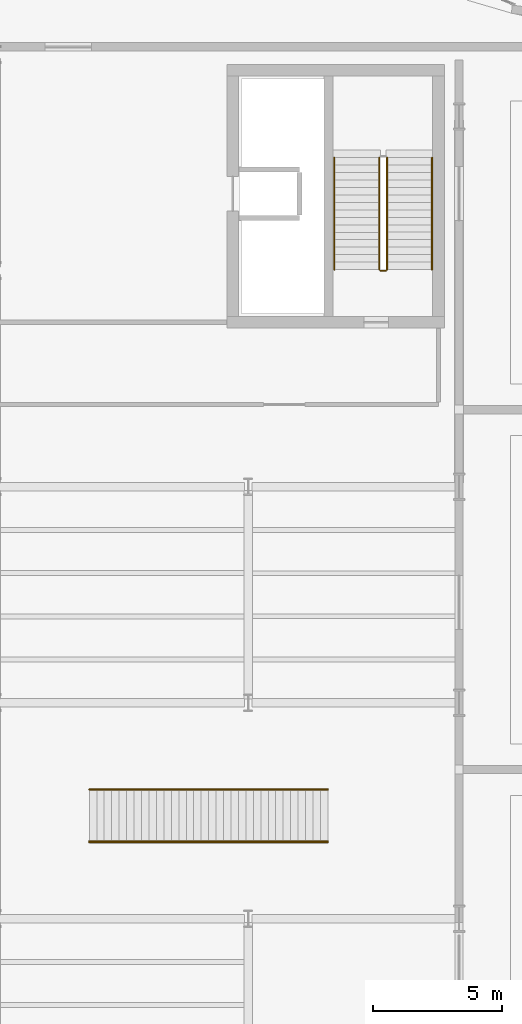
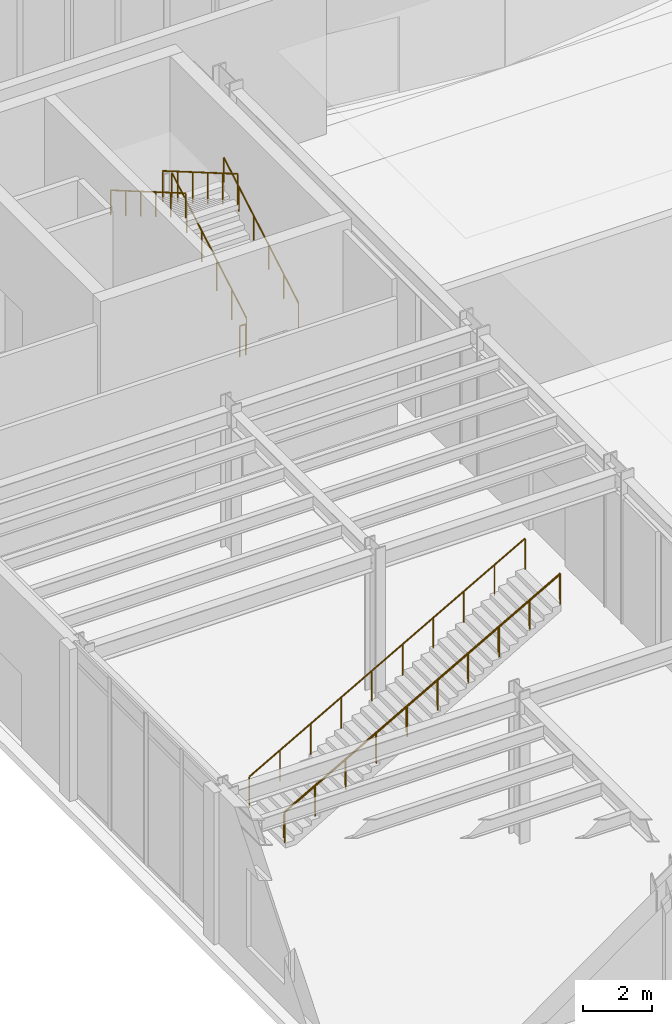
# One storey, part 85 of 94: 8 railings.
"""IFC4 building model written with IfcOpenShell, lengths in metres."""

from ifc_helpers import new_model, si_unit, direction, frame, origin, origin_2d, place, context, subcontext, project, spatial, circle, extrude, material, type_object, element, save


model = new_model("IFC4")

# Units and contexts
model_context = context("Model", 3, precision=1e-05, world=origin(), true_north=direction((0.0, 1.0)))
body_context = subcontext(model_context, "Body", "Model", "MODEL_VIEW")
ifc_project = project(units=[si_unit("LENGTHUNIT", "METRE"), si_unit("AREAUNIT", "SQUARE_METRE"), si_unit("VOLUMEUNIT", "CUBIC_METRE"), si_unit("PLANEANGLEUNIT", "RADIAN"), si_unit("MASSUNIT", "GRAM", prefix="KILO")], contexts=[model_context])

# Site, building, storey
site_placement = place(None, origin())
site = spatial("IfcSite", under=ifc_project, at=site_placement, CompositionType="ELEMENT")
building_placement = place(site_placement, origin())
building = spatial("IfcBuilding", under=site, at=building_placement, Name="Sollismere Congress Hotel", CompositionType="ELEMENT")
storey_placement = place(building_placement, origin())
storey = spatial("IfcBuildingStorey", under=building, at=storey_placement, Name="L00", CompositionType="ELEMENT", Elevation=0.0)

# Railings
ifc_material_1 = material(Name="Steel ASTM A500 Grade C", Category="steel")
railing_type_1 = type_object("IfcRailingType", Name="RL-GRD112", PredefinedType="GUARDRAIL", material=ifc_material_1)
railing_1_placement = place(storey_placement, frame((15.199951171875, 58.449951171875, 0.168701171875)))
element("IfcRailing", 1, at=railing_1_placement, inside=storey, type_object=railing_type_1, Name="RLG-RG-ST-05-L00-1", PredefinedType="GUARDRAIL", context=body_context, shape_type="SweptSolid", body=[
    extrude(circle(Radius=0.02392578125, at=origin_2d()), frame((0.0, 0.0, 1.09619140625), z_axis=(0.0, 0.864323800911, 0.50293574856), x_axis=(-1.0, 0.0, 0.0)), (0.0, 0.0, 1.0), 5.032958984375),
    extrude(circle(Radius=0.02099609375, at=origin_2d()), origin(), (0.0, 0.0, 1.0), 1.072021484375),
    extrude(circle(Radius=0.02099609375, at=origin_2d()), frame((0.0, 0.8701171875, 0.50634765625)), (0.0, 0.0, 1.0), 1.072021484375),
    extrude(circle(Radius=0.02099609375, at=origin_2d()), frame((0.0, 1.739990234375, 1.012451171875)), (0.0, 0.0, 1.0), 1.072021484375),
    extrude(circle(Radius=0.02099609375, at=origin_2d()), frame((0.0, 2.610107421875, 1.518798828125)), (0.0, 0.0, 1.0), 1.072021484375),
    extrude(circle(Radius=0.02099609375, at=origin_2d()), frame((0.0, 3.47998046875, 2.02490234375)), (0.0, 0.0, 1.0), 1.072021484375),
    extrude(circle(Radius=0.02099609375, at=origin_2d()), frame((0.0, 4.35009765625, 2.53125)), (0.0, 0.0, 1.0), 1.072021484375),
])
railing_2_placement = place(storey_placement, frame((14.89990234375, 62.800048828125, 2.86865234375)))
element("IfcRailing", 2, at=railing_2_placement, inside=storey, type_object=railing_type_1, Name="RLG-RG-ST-05-L00-3", PredefinedType="GUARDRAIL", context=body_context, shape_type="SweptSolid", body=[
    extrude(circle(Radius=0.02392578125, at=origin_2d()), frame((0.0, 0.0, 1.09619140625), z_axis=(0.0, -0.864323800911, 0.50293574856), x_axis=(1.0, 0.0, 0.0)), (0.0, 0.0, 1.0), 5.032958984375),
    extrude(circle(Radius=0.02099609375, at=origin_2d()), origin(), (0.0, 0.0, 1.0), 1.072021484375),
    extrude(circle(Radius=0.02099609375, at=origin_2d()), frame((0.0, -0.8701171875, 0.50634765625)), (0.0, 0.0, 1.0), 1.072021484375),
    extrude(circle(Radius=0.02099609375, at=origin_2d()), frame((0.0, -1.739990234375, 1.012451171875)), (0.0, 0.0, 1.0), 1.072021484375),
    extrude(circle(Radius=0.02099609375, at=origin_2d()), frame((0.0, -2.610107421875, 1.518798828125)), (0.0, 0.0, 1.0), 1.072021484375),
    extrude(circle(Radius=0.02099609375, at=origin_2d()), frame((0.0, -3.47998046875, 2.02490234375)), (0.0, 0.0, 1.0), 1.072021484375),
    extrude(circle(Radius=0.02099609375, at=origin_2d()), frame((0.0, -4.35009765625, 2.53125)), (0.0, 0.0, 1.0), 1.072021484375),
])
railing_3_placement = place(storey_placement, frame((15.14990234375, 58.39990234375, 0.0)))
element("IfcRailing", 3, at=railing_3_placement, inside=storey, type_object=railing_type_1, Name="RLG-RG-ST-05-L00-4", PredefinedType="GUARDRAIL", context=body_context, shape_type="SweptSolid", body=[
    extrude(circle(Radius=0.02392578125, at=origin_2d()), frame((0.0, 0.0, 1.09619140625), z_axis=(-1.0, 0.0, 0.0), x_axis=(0.0, -1.0, 0.0)), (0.0, 0.0, 1.0), 0.199951171875),
    extrude(circle(Radius=0.02099609375, at=origin_2d()), origin(), (0.0, 0.0, 1.0), 1.072021484375),
    extrude(circle(Radius=0.02099609375, at=origin_2d()), frame((-0.199951171875, 0.0, 0.0)), (0.0, 0.0, 1.0), 1.072021484375),
])
for number, where, name in (
    (4, (3.6201171875, 36.175048828125, 0.169921875), "RLG-RG-ST-09-A"),
    (5, (3.6201171875, 38.22509765625, 0.169921875), "RLG-RG-ST-09-B"),
):
    element("IfcRailing", number, at=place(storey_placement, frame(where)), inside=storey, type_object=railing_type_1, Name=name, PredefinedType="GUARDRAIL", context=body_context, shape_type="SweptSolid", body=[
        extrude(circle(Radius=0.02392578125, at=origin_2d()), frame((0.0, 0.0, 1.09619140625), z_axis=(0.871170033626, 0.0, 0.490981438052), x_axis=(0.0, 1.0, 0.0)), (0.0, 0.0, 1.0), 10.652099609375),
        extrude(circle(Radius=0.02099609375, at=origin_2d()), origin(), (0.0, 0.0, 1.0), 1.072021484375),
        extrude(circle(Radius=0.02099609375, at=origin_2d()), frame((1.031005859375, 0.0, 0.5810546875)), (0.0, 0.0, 1.0), 1.072021484375),
        extrude(circle(Radius=0.02099609375, at=origin_2d()), frame((2.062255859375, 0.0, 1.162109375)), (0.0, 0.0, 1.0), 1.072021484375),
        extrude(circle(Radius=0.02099609375, at=origin_2d()), frame((3.09326171875, 0.0, 1.743408203125)), (0.0, 0.0, 1.0), 1.072021484375),
        extrude(circle(Radius=0.02099609375, at=origin_2d()), frame((4.124267578125, 0.0, 2.324462890625)), (0.0, 0.0, 1.0), 1.072021484375),
        extrude(circle(Radius=0.02099609375, at=origin_2d()), frame((5.155517578125, 0.0, 2.905517578125)), (0.0, 0.0, 1.0), 1.072021484375),
        extrude(circle(Radius=0.02099609375, at=origin_2d()), frame((6.1865234375, 0.0, 3.486572265625)), (0.0, 0.0, 1.0), 1.072021484375),
        extrude(circle(Radius=0.02099609375, at=origin_2d()), frame((7.217529296875, 0.0, 4.06787109375)), (0.0, 0.0, 1.0), 1.072021484375),
        extrude(circle(Radius=0.02099609375, at=origin_2d()), frame((8.248779296875, 0.0, 4.64892578125)), (0.0, 0.0, 1.0), 1.072021484375),
        extrude(circle(Radius=0.02099609375, at=origin_2d()), frame((9.27978515625, 0.0, 5.22998046875)), (0.0, 0.0, 1.0), 1.072021484375),
    ])
ifc_material_2 = material(Name="Brushed Architectural Bronze")
railing_type_2 = type_object("IfcRailingType", Name="RL-HND90", PredefinedType="HANDRAIL", material=ifc_material_2)
railing_4_placement = place(storey_placement, frame((16.949951171875, 58.449951171875, 0.3134765625)))
element("IfcRailing", 6, at=railing_4_placement, inside=storey, type_object=railing_type_2, Name="RLG-RH-ST-05-L00-1", PredefinedType="HANDRAIL", context=body_context, shape_type="SweptSolid", body=[
    extrude(circle(Radius=0.02392578125, at=origin_2d()), frame((0.0, 0.0, 0.8759765625), z_axis=(0.0, 0.864323800911, 0.50293574856), x_axis=(-1.0, 0.0, 0.0)), (0.0, 0.0, 1.0), 5.032958984375),
    extrude(circle(Radius=0.02099609375, at=origin_2d()), origin(), (0.0, 0.0, 1.0), 0.851806640625),
    extrude(circle(Radius=0.02099609375, at=origin_2d()), frame((0.0, 0.8701171875, 0.50634765625)), (0.0, 0.0, 1.0), 0.851806640625),
    extrude(circle(Radius=0.02099609375, at=origin_2d()), frame((0.0, 1.739990234375, 1.012451171875)), (0.0, 0.0, 1.0), 0.851806640625),
    extrude(circle(Radius=0.02099609375, at=origin_2d()), frame((0.0, 2.610107421875, 1.518798828125)), (0.0, 0.0, 1.0), 0.851806640625),
    extrude(circle(Radius=0.02099609375, at=origin_2d()), frame((0.0, 3.47998046875, 2.02490234375)), (0.0, 0.0, 1.0), 0.851806640625),
    extrude(circle(Radius=0.02099609375, at=origin_2d()), frame((0.0, 4.35009765625, 2.53125)), (0.0, 0.0, 1.0), 0.851806640625),
])
railing_5_placement = place(storey_placement, frame((13.14990234375, 62.800048828125, 3.013427734375)))
element("IfcRailing", 7, at=railing_5_placement, inside=storey, type_object=railing_type_2, Name="RLG-RH-ST-05-L00-2", PredefinedType="HANDRAIL", context=body_context, shape_type="SweptSolid", body=[
    extrude(circle(Radius=0.02392578125, at=origin_2d()), frame((0.0, 0.0, 0.8759765625), z_axis=(0.0, -0.864323800911, 0.50293574856), x_axis=(1.0, 0.0, 0.0)), (0.0, 0.0, 1.0), 5.032958984375),
    extrude(circle(Radius=0.02099609375, at=origin_2d()), origin(), (0.0, 0.0, 1.0), 0.851806640625),
    extrude(circle(Radius=0.02099609375, at=origin_2d()), frame((0.0, -0.8701171875, 0.50634765625)), (0.0, 0.0, 1.0), 0.851806640625),
    extrude(circle(Radius=0.02099609375, at=origin_2d()), frame((0.0, -1.739990234375, 1.012451171875)), (0.0, 0.0, 1.0), 0.851806640625),
    extrude(circle(Radius=0.02099609375, at=origin_2d()), frame((0.0, -2.610107421875, 1.518798828125)), (0.0, 0.0, 1.0), 0.851806640625),
    extrude(circle(Radius=0.02099609375, at=origin_2d()), frame((0.0, -3.47998046875, 2.02490234375)), (0.0, 0.0, 1.0), 0.851806640625),
    extrude(circle(Radius=0.02099609375, at=origin_2d()), frame((0.0, -4.35009765625, 2.53125)), (0.0, 0.0, 1.0), 0.851806640625),
])
railing_6_placement = place(storey_placement, frame((3.6201171875, 36.215087890625, 0.3134765625)))
element("IfcRailing", 8, at=railing_6_placement, inside=storey, type_object=railing_type_2, Name="RLG-RH-ST-09", PredefinedType="HANDRAIL", context=body_context, shape_type="SweptSolid", body=[
    extrude(circle(Radius=0.02392578125, at=origin_2d()), frame((0.0, 0.0, 0.8759765625), z_axis=(0.871111211443, 0.0, 0.491085794233), x_axis=(0.0, 1.0, 0.0)), (0.0, 0.0, 1.0), 10.65283203125),
    extrude(circle(Radius=0.02099609375, at=origin_2d()), origin(), (0.0, 0.0, 1.0), 0.851806640625),
    extrude(circle(Radius=0.02099609375, at=origin_2d()), frame((1.031005859375, 0.0, 0.581298828125)), (0.0, 0.0, 1.0), 0.851806640625),
    extrude(circle(Radius=0.02099609375, at=origin_2d()), frame((2.062255859375, 0.0, 1.16259765625)), (0.0, 0.0, 1.0), 0.851806640625),
    extrude(circle(Radius=0.02099609375, at=origin_2d()), frame((3.09326171875, 0.0, 1.743896484375)), (0.0, 0.0, 1.0), 0.851806640625),
    extrude(circle(Radius=0.02099609375, at=origin_2d()), frame((4.124267578125, 0.0, 2.3251953125)), (0.0, 0.0, 1.0), 0.851806640625),
    extrude(circle(Radius=0.02099609375, at=origin_2d()), frame((5.155517578125, 0.0, 2.90625)), (0.0, 0.0, 1.0), 0.851806640625),
    extrude(circle(Radius=0.02099609375, at=origin_2d()), frame((6.1865234375, 0.0, 3.487548828125)), (0.0, 0.0, 1.0), 0.851806640625),
    extrude(circle(Radius=0.02099609375, at=origin_2d()), frame((7.217529296875, 0.0, 4.06884765625)), (0.0, 0.0, 1.0), 0.851806640625),
    extrude(circle(Radius=0.02099609375, at=origin_2d()), frame((8.248779296875, 0.0, 4.650146484375)), (0.0, 0.0, 1.0), 0.851806640625),
    extrude(circle(Radius=0.02099609375, at=origin_2d()), frame((9.27978515625, 0.0, 5.2314453125)), (0.0, 0.0, 1.0), 0.851806640625),
])

save(model, "model.ifc")
